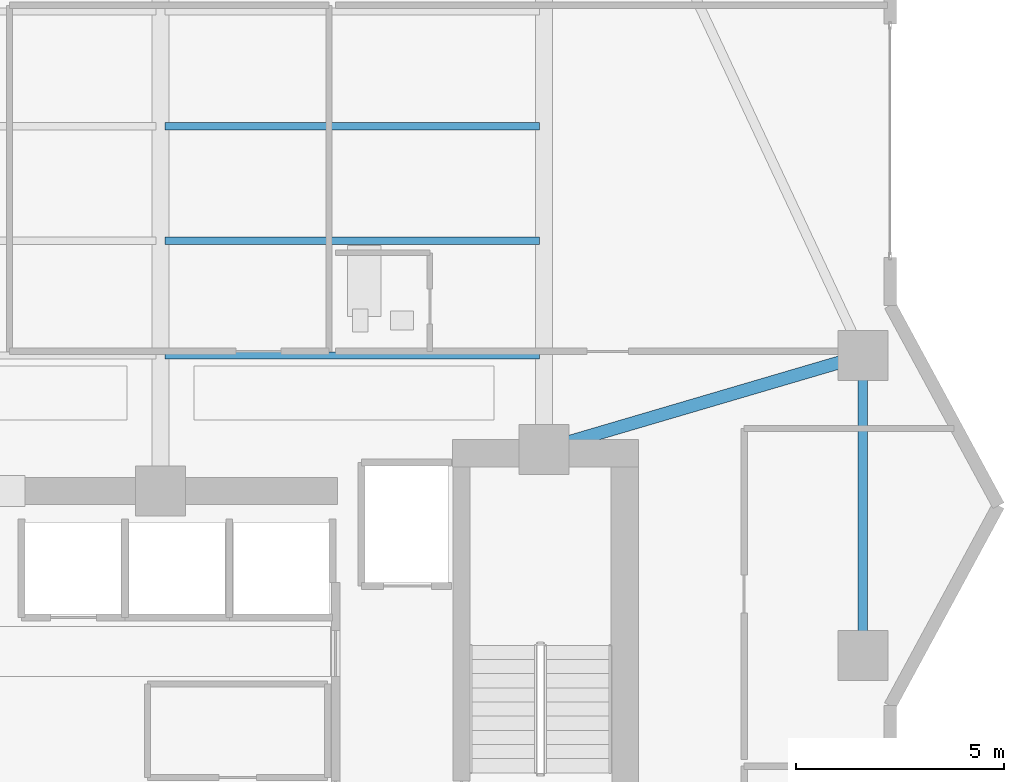
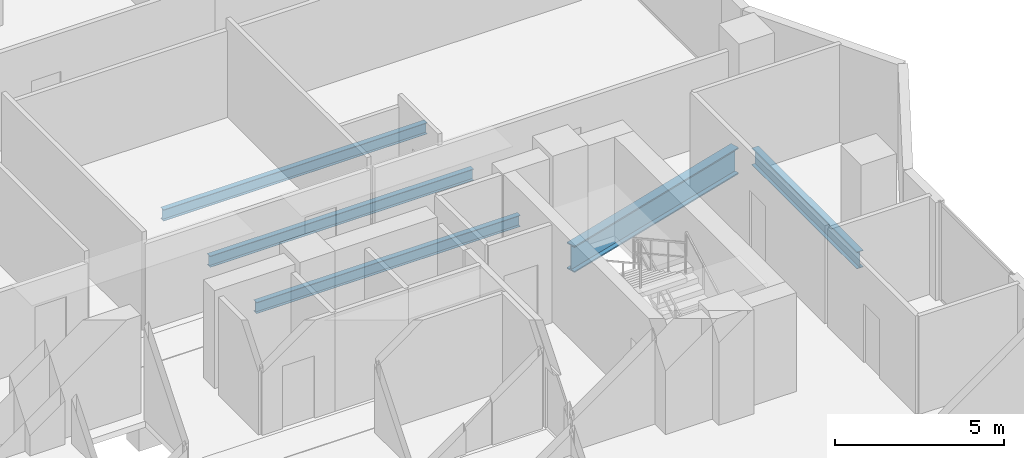
# One storey, part 14 of 33: 5 beams.
"""IFC4 building model written with IfcOpenShell, lengths in metres."""

from ifc_helpers import new_model, si_unit, direction, frame, origin, origin_2d, place, context, subcontext, project, spatial, i_section, extrude, material, material_profile, profile_set, type_object, element, save


model = new_model("IFC4")

# Units and contexts
model_context = context("Model", 3, precision=1e-05, world=origin(), true_north=direction((0.0, 1.0)))
body_context = subcontext(model_context, "Body", "Model", "MODEL_VIEW")
ifc_project = project(units=[si_unit("LENGTHUNIT", "METRE"), si_unit("AREAUNIT", "SQUARE_METRE"), si_unit("VOLUMEUNIT", "CUBIC_METRE"), si_unit("PLANEANGLEUNIT", "RADIAN"), si_unit("MASSUNIT", "GRAM", prefix="KILO")], contexts=[model_context])

# Site, building, storey
site_placement = place(None, origin())
site = spatial("IfcSite", under=ifc_project, at=site_placement, CompositionType="ELEMENT")
building_placement = place(site_placement, origin())
building = spatial("IfcBuilding", under=site, at=building_placement, Name="Zuhayl Quay Hotel", CompositionType="ELEMENT")
storey_placement = place(building_placement, frame((0.0, 0.0, 211.14990234375)))
storey = spatial("IfcBuildingStorey", under=building, at=storey_placement, Name="L53", CompositionType="ELEMENT", Elevation=211.14990234375)

# Beams
ifc_material = material(Name="Steel ASTM A992 Grade 50", Category="steel")
ifc_material_profile_1 = material_profile(ifc_material, i_section(OverallWidth=0.22802734375, OverallDepth=0.60693359375, WebThickness=0.01123046875, FlangeThickness=0.017333984375, at=origin_2d()), Name="W24X76")
ifc_profile_set_1 = profile_set([ifc_material_profile_1], Name="Steel ASTM A992 Grade 50")
beam_type_1 = type_object("IfcBeamType", Name="BM_B3_W24X76", PredefinedType="BEAM", material=ifc_profile_set_1)
beam_1_placement = place(storey_placement, frame((21.449951171875, 9.89990234375, -0.5234375), z_axis=(0.0, 1.0, 0.0), x_axis=(-1.0, 0.0, 0.0)))
element("IfcBeam", 1, at=beam_1_placement, inside=storey, type_object=beam_type_1, Name="L53 Floor Beam RG_L53_05", PredefinedType="BEAM", context=body_context, shape_type="SweptSolid", body=[
    extrude(i_section(OverallWidth=0.22802734375, OverallDepth=0.60693359375, WebThickness=0.01123046875, FlangeThickness=0.017333984375, at=origin_2d()), origin(), (0.0, 0.0, 1.0), 6.2001953125),
])
ifc_material_profile_2 = material_profile(ifc_material, i_section(OverallWidth=0.177978515625, OverallDepth=0.406005859375, WebThickness=0.0078125, FlangeThickness=0.0126953125, at=origin_2d()), Name="W16X40")
ifc_profile_set_2 = profile_set([ifc_material_profile_2], Name="Steel ASTM A992 Grade 50")
beam_type_2 = type_object("IfcBeamType", Name="BM_J2B_W16X40", PredefinedType="JOIST", material=ifc_profile_set_2)
for number, where, z_axis, x_axis, name in (
    (2, (4.7060546875, 16.60009765625, -0.4228515625), (1.0, 0.0, 0.0), (0.0, 1.0, 0.0), "L53 Floor Beam FJ_L53_1_3"),
    (3, (4.7060546875, 19.35009765625, -0.4228515625), (1.0, 0.0, 0.0), (0.0, 1.0, 0.0), "L53 Floor Beam FJ_L53_2_3"),
    (4, (4.7060546875, 22.10009765625, -0.4228515625), (1.0, 0.0, 0.0), (0.0, 1.0, 0.0), "L53 Floor Beam FJ_L53_3_3"),
):
    element("IfcBeam", number, at=place(storey_placement, frame(where, z_axis=z_axis, x_axis=x_axis)), inside=storey, type_object=beam_type_2, Name=name, PredefinedType="JOIST", context=body_context, shape_type="SweptSolid", body=[
        extrude(i_section(OverallWidth=0.177978515625, OverallDepth=0.406005859375, WebThickness=0.0078125, FlangeThickness=0.0126953125, at=origin_2d()), origin(), (0.0, 0.0, 1.0), 8.988037109375),
    ])
ifc_material_profile_3 = material_profile(ifc_material, i_section(OverallWidth=0.31005859375, OverallDepth=0.949951171875, WebThickness=0.0244140625, FlangeThickness=0.0439453125, at=origin_2d()), Name="W36X256")
ifc_profile_set_3 = profile_set([ifc_material_profile_3], Name="Steel ASTM A992 Grade 50")
beam_type_3 = type_object("IfcBeamType", Name="BM_PG1_W36X256", PredefinedType="BEAM", material=ifc_profile_set_3)
beam_2_placement = place(storey_placement, frame((14.231689453125, 14.47705078125, -0.69482421875), z_axis=(0.959364948093, 0.282168205812, 0.0), x_axis=(-0.282168205812, 0.959364948093, 0.0)))
element("IfcBeam", 5, at=beam_2_placement, inside=storey, type_object=beam_type_3, Name="L53 Floor Beam FG_E_L53_2", PredefinedType="BEAM", context=body_context, shape_type="SweptSolid", body=[
    extrude(i_section(OverallWidth=0.31005859375, OverallDepth=0.949951171875, WebThickness=0.0244140625, FlangeThickness=0.0439453125, at=origin_2d()), origin(), (0.0, 0.0, 1.0), 7.02392578125),
])

save(model, "model.ifc")
